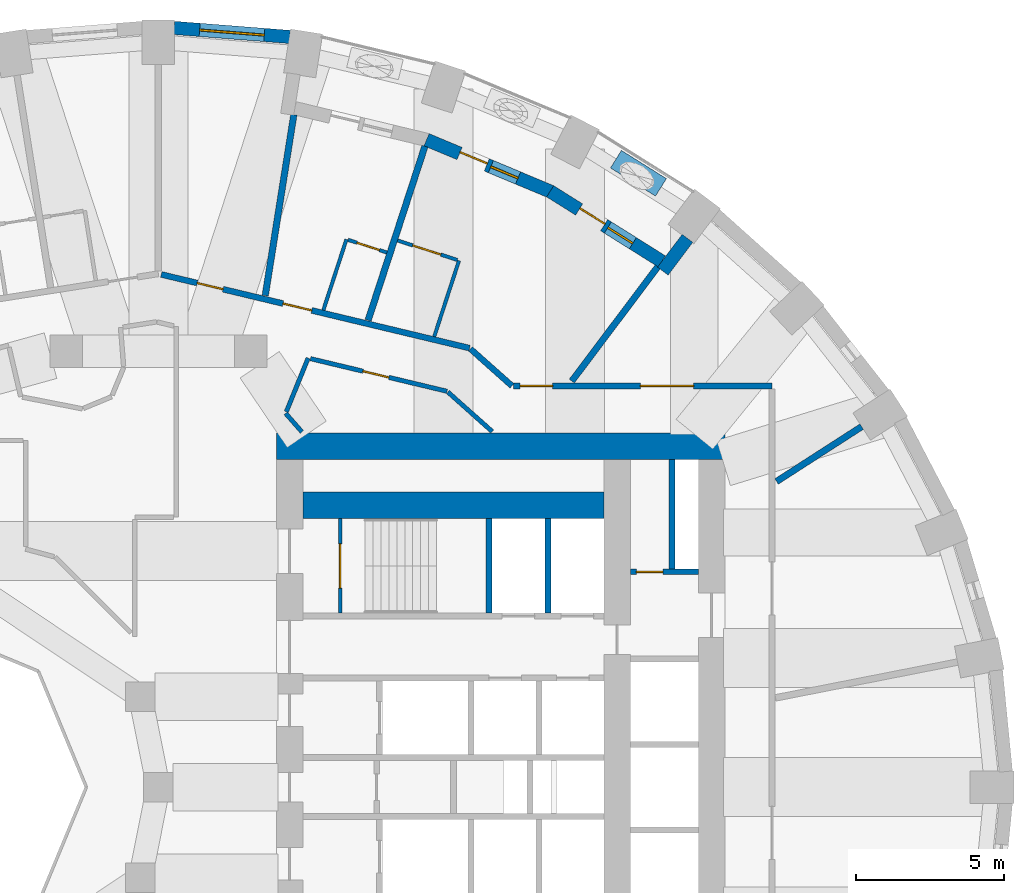
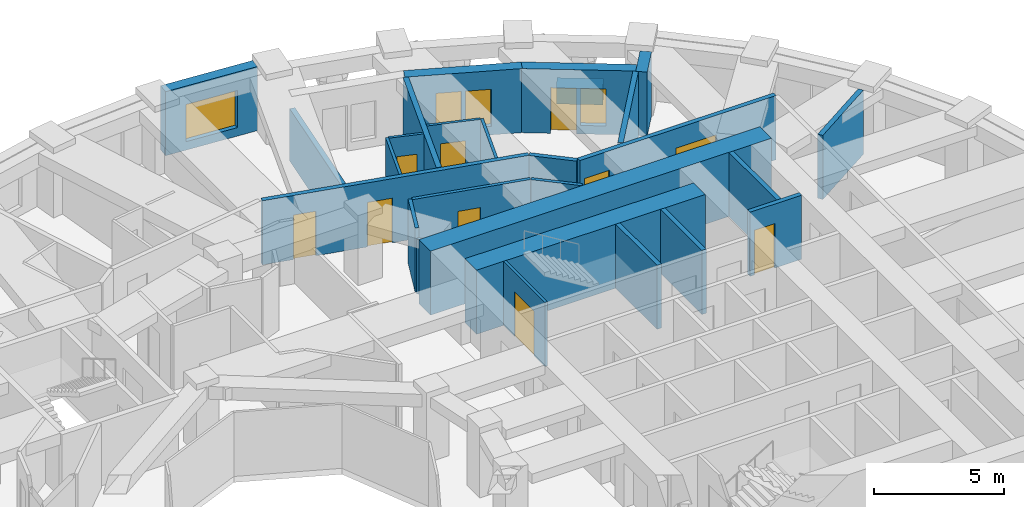
# One storey, part 9 of 14: 27 walls, 11 doors, 3 windows, 14 openings.
"""IFC4 building model written with IfcOpenShell, lengths in metres."""

from ifc_helpers import new_model, si_unit, direction, frame, frame_2d, origin, place, context, subcontext, project, spatial, rectangle, extrude, material, layer, layer_set, constituent, constituent_set, type_object, element, fill, save


model = new_model("IFC4")

# Units and contexts
model_context = context("Model", 3, precision=1e-05, world=origin(), true_north=direction((0.0, 1.0)))
body_context = subcontext(model_context, "Body", "Model", "MODEL_VIEW")
ifc_project = project(units=[si_unit("LENGTHUNIT", "METRE"), si_unit("AREAUNIT", "SQUARE_METRE"), si_unit("VOLUMEUNIT", "CUBIC_METRE"), si_unit("PLANEANGLEUNIT", "RADIAN"), si_unit("MASSUNIT", "GRAM", prefix="KILO")], contexts=[model_context])

# Site, building, storey
site_placement = place(None, origin())
site = spatial("IfcSite", under=ifc_project, at=site_placement, CompositionType="ELEMENT")
building_placement = place(site_placement, origin())
building = spatial("IfcBuilding", under=site, at=building_placement, Name="Taillehof Tower", CompositionType="ELEMENT")
storey_placement = place(building_placement, frame((0.0, 0.0, 28.300048828125)))
storey = spatial("IfcBuildingStorey", under=building, at=storey_placement, Name="L06", CompositionType="ELEMENT", Elevation=28.300048828125)

# Wall, opening, window
ifc_material_1 = material(Name="Brick masonry", Category="masonry")
ifc_layer_1 = layer(ifc_material_1, 0.449951171875)
ifc_layer_set_1 = layer_set([ifc_layer_1], Name="Brick infill wall 450")
wall_type_1 = type_object("IfcWallType", Name="Brick infill wall 450", PredefinedType="SOLIDWALL", material=ifc_layer_set_1)
wall_1_placement = place(storey_placement, frame((4.457275390625, 25.42578125, 0.0), z_axis=(0.0, 0.0, 1.0), x_axis=(-0.996955972145, 0.077966592873, 0.0)))
wall_1 = element("IfcWall", 1, at=wall_1_placement, inside=storey, type_object=wall_type_1, Name="Brick wall L06 bay 9", PredefinedType="SOLIDWALL", context=body_context, shape_type="SweptSolid", body=[
    extrude(rectangle(XDim=3.939208984375, YDim=0.449951171875, at=frame_2d((1.9697265625, 0.0))), origin(), (0.0, 0.0, 1.0), 3.02001953125),
])
opening_1_placement = place(wall_1_placement, frame((0.86962890625, 0.0, 0.39990234375)))
opening_1 = element("IfcOpeningElement", 2, at=opening_1_placement, cuts=wall_1, Name="Opening W1", PredefinedType="OPENING", context=body_context, shape_type="SweptSolid", body=[
    extrude(rectangle(XDim=2.199951171875, YDim=1.75, at=frame_2d((1.10009765625, 0.875))), frame((0.0, 0.23486328125, 0.0), z_axis=(0.0, -1.0, 0.0), x_axis=(1.0, 0.0, 0.0)), (0.0, 0.0, 1.0), 0.469970703125),
])
ifc_material_2 = material(Name="Aluminium window frame with clear double glazing", Category="aluminium")
window_type_1 = type_object("IfcWindowType", Name="Deep-set window 2200x1750", PartitioningType="SINGLE_PANEL", PredefinedType="WINDOW", material=ifc_material_2)
window_1_placement = place(opening_1_placement, origin())
window_1 = element("IfcWindow", 3, at=window_1_placement, inside=storey, type_object=window_type_1, Name="W1", OverallHeight=1.75, OverallWidth=2.199951171875, PartitioningType="SINGLE_PANEL", PredefinedType="WINDOW", context=body_context, shape_type="SweptSolid", body=[
    extrude(rectangle(XDim=2.199951171875, YDim=1.75, at=frame_2d((1.10009765625, 0.875))), frame((0.0, 0.034912109375, 0.0), z_axis=(0.0, -1.0, 0.0), x_axis=(1.0, 0.0, 0.0)), (0.0, 0.0, 1.0), 0.06005859375),
])
fill(opening_1, window_1)

# Wall
wall_2_placement = place(storey_placement, frame((17.931640625, 18.60009765625, 0.0), z_axis=(0.0, 0.0, 1.0), x_axis=(-0.601262851241, -0.799051302306, 0.0)))
element("IfcWall", 4, at=wall_2_placement, inside=storey, type_object=wall_type_1, Name="Brick reveal L06 pocket 1", PredefinedType="SOLIDWALL", context=body_context, shape_type="SweptSolid", body=[
    extrude(rectangle(XDim=1.39111328125, YDim=0.449951171875, at=frame_2d((0.695556640625, 0.0))), origin(), (0.0, 0.0, 1.0), 3.02001953125),
])

# Wall, openings, door, window
wall_3_placement = place(storey_placement, frame((17.062255859375, 17.81884765625, 0.0), z_axis=(0.0, 0.0, 1.0), x_axis=(-0.846990101364, 0.531608660757, 0.0)))
wall_3 = element("IfcWall", 5, at=wall_3_placement, inside=storey, type_object=wall_type_1, Name="Brick wall L06 pocket bay 6", PredefinedType="SOLIDWALL", context=body_context, shape_type="SweptSolid", body=[
    extrude(rectangle(XDim=4.468994140625, YDim=0.449951171875, at=frame_2d((2.234375, 0.0))), origin(), (0.0, 0.0, 1.0), 3.02001953125),
])
opening_2_placement = place(wall_3_placement, frame((1.159423828125, 0.0, 0.39990234375)))
opening_2 = element("IfcOpeningElement", 6, at=opening_2_placement, cuts=wall_3, Name="Opening W5", PredefinedType="OPENING", context=body_context, shape_type="SweptSolid", body=[
    extrude(rectangle(XDim=1.0, YDim=1.75, at=frame_2d((0.5, 0.875))), frame((0.0, 0.23486328125, 0.0), z_axis=(0.0, -1.0, 0.0), x_axis=(1.0, 0.0, 0.0)), (0.0, 0.0, 1.0), 0.469970703125),
])
opening_3_placement = place(wall_3_placement, frame((2.3095703125, 0.0, 0.0)))
opening_3 = element("IfcOpeningElement", 7, at=opening_3_placement, cuts=wall_3, Name="Opening D0691", PredefinedType="OPENING", context=body_context, shape_type="SweptSolid", body=[
    extrude(rectangle(XDim=1.0, YDim=2.14990234375, at=frame_2d((0.5, 1.074951171875))), frame((0.0, 0.23486328125, 0.0), z_axis=(0.0, -1.0, 0.0), x_axis=(1.0, 0.0, 0.0)), (0.0, 0.0, 1.0), 0.469970703125),
])
ifc_material_3 = material(Name="Aluminium door frame with clear double glazing", Category="aluminium")
door_type_1 = type_object("IfcDoorType", Name="Balcony door 1000x2150", OperationType="SINGLE_SWING_RIGHT", PredefinedType="DOOR", material=ifc_material_3)
door_1_placement = place(opening_3_placement, frame((1.0, 0.0, 0.0), z_axis=(0.0, 0.0, 1.0), x_axis=(-1.0, 0.0, 0.0)))
door_1 = element("IfcDoor", 8, at=door_1_placement, inside=storey, type_object=door_type_1, Name="Balcony door L06 bay 6", OperationType="SINGLE_SWING_RIGHT", OverallHeight=2.14990234375, OverallWidth=1.0, PredefinedType="DOOR", context=body_context, shape_type="SweptSolid", body=[
    extrude(rectangle(XDim=1.0, YDim=2.14990234375, at=frame_2d((0.5, 1.074951171875))), frame((0.0, 0.0751953125, 0.0), z_axis=(0.0, -1.0, 0.0), x_axis=(1.0, 0.0, 0.0)), (0.0, 0.0, 1.0), 0.050048828125),
])
fill(opening_3, door_1)
ifc_material_4 = material(Name="Aluminium window frame with clear double glazing", Category="aluminium")
window_type_2 = type_object("IfcWindowType", Name="Fixed window 1000x1750", PartitioningType="SINGLE_PANEL", PredefinedType="WINDOW", material=ifc_material_4)
window_2_placement = place(opening_2_placement, origin())
window_2 = element("IfcWindow", 9, at=window_2_placement, inside=storey, type_object=window_type_2, Name="W5", OverallHeight=1.75, OverallWidth=1.0, PartitioningType="SINGLE_PANEL", PredefinedType="WINDOW", context=body_context, shape_type="SweptSolid", body=[
    extrude(rectangle(XDim=1.0, YDim=1.75, at=frame_2d((0.5, 0.875))), frame((0.0, 0.034912109375, 0.0), z_axis=(0.0, -1.0, 0.0), x_axis=(1.0, 0.0, 0.0)), (0.0, 0.0, 1.0), 0.06005859375),
])
fill(opening_2, window_2)

wall_4_placement = place(storey_placement, frame((13.31005859375, 20.177734375, 0.0), z_axis=(0.0, 0.0, 1.0), x_axis=(-0.922634412489, 0.385675693935, 0.0)))
wall_4 = element("IfcWall", 10, at=wall_4_placement, inside=storey, type_object=wall_type_1, Name="Brick wall L06 pocket bay 7", PredefinedType="SOLIDWALL", context=body_context, shape_type="SweptSolid", body=[
    extrude(rectangle(XDim=4.57666015625, YDim=0.449951171875, at=frame_2d((2.288330078125, 0.0))), origin(), (0.0, 0.0, 1.0), 3.02001953125),
])
opening_4_placement = place(wall_4_placement, frame((1.21337890625, 0.0, 0.39990234375)))
opening_4 = element("IfcOpeningElement", 11, at=opening_4_placement, cuts=wall_4, Name="Opening W5", PredefinedType="OPENING", context=body_context, shape_type="SweptSolid", body=[
    extrude(rectangle(XDim=1.0, YDim=1.75, at=frame_2d((0.5, 0.875))), frame((0.0, 0.23486328125, 0.0), z_axis=(0.0, -1.0, 0.0), x_axis=(1.0, 0.0, 0.0)), (0.0, 0.0, 1.0), 0.469970703125),
])
opening_5_placement = place(wall_4_placement, frame((2.36328125, 0.0, 0.0)))
opening_5 = element("IfcOpeningElement", 12, at=opening_5_placement, cuts=wall_4, Name="Opening D0692", PredefinedType="OPENING", context=body_context, shape_type="SweptSolid", body=[
    extrude(rectangle(XDim=1.0, YDim=2.14990234375, at=frame_2d((0.5, 1.074951171875))), frame((0.0, 0.23486328125, 0.0), z_axis=(0.0, -1.0, 0.0), x_axis=(1.0, 0.0, 0.0)), (0.0, 0.0, 1.0), 0.469970703125),
])
door_2_placement = place(opening_5_placement, frame((1.0, 0.0, 0.0), z_axis=(0.0, 0.0, 1.0), x_axis=(-1.0, 0.0, 0.0)))
door_2 = element("IfcDoor", 13, at=door_2_placement, inside=storey, type_object=door_type_1, Name="Balcony door L06 bay 7", OperationType="SINGLE_SWING_LEFT", OverallHeight=2.14990234375, OverallWidth=1.0, PredefinedType="DOOR", context=body_context, shape_type="SweptSolid", body=[
    extrude(rectangle(XDim=1.0, YDim=2.14990234375, at=frame_2d((0.5, 1.074951171875))), frame((0.0, 0.0751953125, 0.0), z_axis=(0.0, -1.0, 0.0), x_axis=(1.0, 0.0, 0.0)), (0.0, 0.0, 1.0), 0.050048828125),
])
fill(opening_5, door_2)
window_3_placement = place(opening_4_placement, origin())
window_3 = element("IfcWindow", 14, at=window_3_placement, inside=storey, type_object=window_type_2, Name="W5", OverallHeight=1.75, OverallWidth=1.0, PartitioningType="SINGLE_PANEL", PredefinedType="WINDOW", context=body_context, shape_type="SweptSolid", body=[
    extrude(rectangle(XDim=1.0, YDim=1.75, at=frame_2d((0.5, 0.875))), frame((0.0, 0.034912109375, 0.0), z_axis=(0.0, -1.0, 0.0), x_axis=(1.0, 0.0, 0.0)), (0.0, 0.0, 1.0), 0.06005859375),
])
fill(opening_4, window_3)

# Wall, opening, door
ifc_material_5 = material(Name="Calcium silicate masonry", Category="masonry")
ifc_layer_2 = layer(ifc_material_5, 0.199951171875)
ifc_layer_set_2 = layer_set([ifc_layer_2], Name="Compartment wall calcium silicate 200")
wall_type_2 = type_object("IfcWallType", Name="Compartment wall calcium silicate 200", PredefinedType="PARTITIONING", material=ifc_layer_set_2)
wall_5_placement = place(storey_placement, frame((16.0, 7.300048828125, 0.0), z_axis=(0.0, 0.0, 1.0), x_axis=(1.0, 0.0, 0.0)))
wall_5 = element("IfcWall", 15, at=wall_5_placement, inside=storey, type_object=wall_type_2, Name="Compartment wall FW", PredefinedType="PARTITIONING", context=body_context, shape_type="SweptSolid", body=[
    extrude(rectangle(XDim=2.300048828125, YDim=0.199951171875, at=frame_2d((1.14990234375, 0.0))), origin(), (0.0, 0.0, 1.0), 3.02001953125),
])
opening_6_placement = place(wall_5_placement, frame((0.199951171875, 0.0, 0.0)))
opening_6 = element("IfcOpeningElement", 16, at=opening_6_placement, cuts=wall_5, Name="Opening D0616", PredefinedType="OPENING", context=body_context, shape_type="SweptSolid", body=[
    extrude(rectangle(XDim=0.89990234375, YDim=2.10009765625, at=frame_2d((0.449951171875, 1.050048828125))), frame((0.0, 0.10986328125, 0.0), z_axis=(0.0, -1.0, 0.0), x_axis=(1.0, 0.0, 0.0)), (0.0, 0.0, 1.0), 0.219970703125),
])
ifc_material_6 = material(Name="Steel-faced fire door", Category="steel")
door_type_2 = type_object("IfcDoorType", Name="Riser and service room door 900x2100", OperationType="SINGLE_SWING_LEFT", PredefinedType="DOOR", material=ifc_material_6)
door_3_placement = place(opening_6_placement, origin())
door_3 = element("IfcDoor", 17, at=door_3_placement, inside=storey, type_object=door_type_2, Name="Door Waste Room", OperationType="SINGLE_SWING_RIGHT", OverallHeight=2.10009765625, OverallWidth=0.89990234375, PredefinedType="DOOR", context=body_context, shape_type="SweptSolid", body=[
    extrude(rectangle(XDim=0.89990234375, YDim=2.10009765625, at=frame_2d((0.449951171875, 1.050048828125))), frame((0.0, 0.02490234375, 0.0), z_axis=(0.0, -1.0, 0.0), x_axis=(1.0, 0.0, 0.0)), (0.0, 0.0, 1.0), 0.050048828125),
])
fill(opening_6, door_3)

# Wall
wall_6_placement = place(storey_placement, frame((17.39990234375, 7.39990234375, 0.0), z_axis=(0.0, 0.0, 1.0), x_axis=(0.0, 1.0, 0.0)))
element("IfcWall", 18, at=wall_6_placement, inside=storey, type_object=wall_type_2, Name="Compartment wall FW", PredefinedType="PARTITIONING", context=body_context, shape_type="SweptSolid", body=[
    extrude(rectangle(XDim=3.7001953125, YDim=0.199951171875, at=frame_2d((1.85009765625, 0.0))), origin(), (0.0, 0.0, 1.0), 3.02001953125),
])

# Wall, openings, doors
ifc_material_7 = material(Name="Gypsum board on steel studs, two layers each side", Category="steel")
ifc_layer_3 = layer(ifc_material_7, 0.199951171875)
ifc_layer_set_3 = layer_set([ifc_layer_3], Name="Compartment wall corridor 200")
wall_type_3 = type_object("IfcWallType", Name="Compartment wall corridor 200", PredefinedType="PARTITIONING", material=ifc_layer_set_3)
wall_7_placement = place(storey_placement, frame((0.09765625, 17.376708984375, 0.0), z_axis=(0.0, 0.0, 1.0), x_axis=(0.972602241469, -0.232475546864, 0.0)))
wall_7 = element("IfcWall", 19, at=wall_7_placement, inside=storey, type_object=wall_type_3, Name="Compartment wall", PredefinedType="PARTITIONING", context=body_context, shape_type="SweptSolid", body=[
    extrude(rectangle(XDim=10.743408203125, YDim=0.199951171875, at=frame_2d((5.37158203125, 0.0))), origin(), (0.0, 0.0, 1.0), 3.02001953125),
])
opening_7_placement = place(wall_7_placement, frame((4.241943359375, 0.0, 0.0)))
opening_7 = element("IfcOpeningElement", 20, at=opening_7_placement, cuts=wall_7, Name="Opening D0642", PredefinedType="OPENING", context=body_context, shape_type="SweptSolid", body=[
    extrude(rectangle(XDim=1.0, YDim=2.10009765625, at=frame_2d((0.5, 1.050048828125))), frame((0.0, 0.10986328125, 0.0), z_axis=(0.0, -1.0, 0.0), x_axis=(1.0, 0.0, 0.0)), (0.0, 0.0, 1.0), 0.219970703125),
])
opening_8_placement = place(wall_7_placement, frame((1.25341796875, 0.0, 0.0)))
opening_8 = element("IfcOpeningElement", 21, at=opening_8_placement, cuts=wall_7, Name="Opening D0644", PredefinedType="OPENING", context=body_context, shape_type="SweptSolid", body=[
    extrude(rectangle(XDim=0.89990234375, YDim=2.10009765625, at=frame_2d((0.449951171875, 1.050048828125))), frame((0.0, 0.10986328125, 0.0), z_axis=(0.0, -1.0, 0.0), x_axis=(1.0, 0.0, 0.0)), (0.0, 0.0, 1.0), 0.219970703125),
])
ifc_material_8 = material(Name="Timber door leaf in steel frame", Category="steel")
door_type_3 = type_object("IfcDoorType", Name="Guest room door EI 30 1000 x 2100", OperationType="SINGLE_SWING_LEFT", PredefinedType="DOOR", material=ifc_material_8)
door_4_placement = place(opening_7_placement, origin())
door_4 = element("IfcDoor", 22, at=door_4_placement, inside=storey, type_object=door_type_3, Name="D0642", OperationType="SINGLE_SWING_RIGHT", OverallHeight=2.10009765625, OverallWidth=1.0, PredefinedType="DOOR", context=body_context, shape_type="SweptSolid", body=[
    extrude(rectangle(XDim=1.0, YDim=2.10009765625, at=frame_2d((0.5, 1.050048828125))), frame((0.0, 0.02490234375, 0.0), z_axis=(0.0, -1.0, 0.0), x_axis=(1.0, 0.0, 0.0)), (0.0, 0.0, 1.0), 0.050048828125),
])
fill(opening_7, door_4)
ifc_material_9 = material(Name="Timber door leaf in steel frame", Category="steel")
door_type_4 = type_object("IfcDoorType", Name="Service room door EI 30 900 x 2100", OperationType="SINGLE_SWING_LEFT", PredefinedType="DOOR", material=ifc_material_9)
door_5_placement = place(opening_8_placement, origin())
door_5 = element("IfcDoor", 23, at=door_5_placement, inside=storey, type_object=door_type_4, Name="D0644", OperationType="SINGLE_SWING_LEFT", OverallHeight=2.10009765625, OverallWidth=0.89990234375, PredefinedType="DOOR", context=body_context, shape_type="SweptSolid", body=[
    extrude(rectangle(XDim=0.89990234375, YDim=2.10009765625, at=frame_2d((0.449951171875, 1.050048828125))), frame((0.0, 0.02490234375, 0.0), z_axis=(0.0, -1.0, 0.0), x_axis=(1.0, 0.0, 0.0)), (0.0, 0.0, 1.0), 0.050048828125),
])
fill(opening_8, door_5)

# Wall
wall_8_placement = place(storey_placement, frame((10.576416015625, 14.852783203125, 0.0), z_axis=(0.0, 0.0, 1.0), x_axis=(0.746758163178, -0.665095666597, 0.0)))
element("IfcWall", 24, at=wall_8_placement, inside=storey, type_object=wall_type_3, Name="Compartment wall", PredefinedType="PARTITIONING", context=body_context, shape_type="SweptSolid", body=[
    extrude(rectangle(XDim=1.883544921875, YDim=0.199951171875, at=frame_2d((0.94189453125, 0.0))), origin(), (0.0, 0.0, 1.0), 3.02001953125),
])

# Wall, openings, doors
wall_9_placement = place(storey_placement, frame((12.04296875, 13.60009765625, 0.0), z_axis=(0.0, 0.0, 1.0), x_axis=(1.0, 0.0, 0.0)))
wall_9 = element("IfcWall", 25, at=wall_9_placement, inside=storey, type_object=wall_type_3, Name="Compartment wall", PredefinedType="PARTITIONING", context=body_context, shape_type="SweptSolid", body=[
    extrude(rectangle(XDim=8.757080078125, YDim=0.199951171875, at=frame_2d((4.37841796875, 0.0))), origin(), (0.0, 0.0, 1.0), 3.02001953125),
])
opening_9_placement = place(wall_9_placement, frame((0.219970703125, 0.0, 0.0)))
opening_9 = element("IfcOpeningElement", 26, at=opening_9_placement, cuts=wall_9, Name="Opening D0640", PredefinedType="OPENING", context=body_context, shape_type="SweptSolid", body=[
    extrude(rectangle(XDim=1.10009765625, YDim=2.10009765625, at=frame_2d((0.550048828125, 1.050048828125))), frame((0.0, 0.10986328125, 0.0), z_axis=(0.0, -1.0, 0.0), x_axis=(1.0, 0.0, 0.0)), (0.0, 0.0, 1.0), 0.219970703125),
])
opening_10_placement = place(wall_9_placement, frame((4.293212890625, 0.0, 0.0)))
opening_10 = element("IfcOpeningElement", 27, at=opening_10_placement, cuts=wall_9, Name="Opening D0672", PredefinedType="OPENING", context=body_context, shape_type="SweptSolid", body=[
    extrude(rectangle(XDim=1.800048828125, YDim=2.10009765625, at=frame_2d((0.89990234375, 1.050048828125))), frame((0.0, 0.10986328125, 0.0), z_axis=(0.0, -1.0, 0.0), x_axis=(1.0, 0.0, 0.0)), (0.0, 0.0, 1.0), 0.219970703125),
])
ifc_material_10 = material(Name="Timber door leaf in steel frame", Category="steel")
door_type_5 = type_object("IfcDoorType", Name="Accessible guest room door EI 30 1100 x 2100", OperationType="SINGLE_SWING_LEFT", PredefinedType="DOOR", material=ifc_material_10)
door_6_placement = place(opening_9_placement, origin())
door_6 = element("IfcDoor", 28, at=door_6_placement, inside=storey, type_object=door_type_5, Name="D0640", OperationType="SINGLE_SWING_LEFT", OverallHeight=2.10009765625, OverallWidth=1.10009765625, PredefinedType="DOOR", context=body_context, shape_type="SweptSolid", body=[
    extrude(rectangle(XDim=1.10009765625, YDim=2.10009765625, at=frame_2d((0.550048828125, 1.050048828125))), frame((0.0, 0.02490234375, 0.0), z_axis=(0.0, -1.0, 0.0), x_axis=(1.0, 0.0, 0.0)), (0.0, 0.0, 1.0), 0.050048828125),
])
fill(opening_9, door_6)
ifc_material_11 = material(Name="Timber door leaf in steel frame", Category="steel")
door_type_6 = type_object("IfcDoorType", Name="Lounge and meeting room double door EI 30 1800 x 2100", OperationType="SINGLE_SWING_LEFT", PredefinedType="DOOR", material=ifc_material_11)
door_7_placement = place(opening_10_placement, origin())
door_7 = element("IfcDoor", 29, at=door_7_placement, inside=storey, type_object=door_type_6, Name="D0672", OperationType="DOUBLE_DOOR_SINGLE_SWING", OverallHeight=2.10009765625, OverallWidth=1.800048828125, PredefinedType="DOOR", context=body_context, shape_type="SweptSolid", body=[
    extrude(rectangle(XDim=1.800048828125, YDim=2.10009765625, at=frame_2d((0.89990234375, 1.050048828125))), frame((0.0, 0.02490234375, 0.0), z_axis=(0.0, -1.0, 0.0), x_axis=(1.0, 0.0, 0.0)), (0.0, 0.0, 1.0), 0.050048828125),
])
fill(opening_10, door_7)

# Walls
ifc_material_12 = material(Name="Gypsum board on double steel studs with mineral wool", Category="steel")
ifc_layer_4 = layer(ifc_material_12, 0.219970703125)
ifc_layer_set_4 = layer_set([ifc_layer_4], Name="Compartment wall guest room 220")
wall_type_4 = type_object("IfcWallType", Name="Compartment wall guest room 220", PredefinedType="PARTITIONING", material=ifc_layer_set_4)
wall_10_placement = place(storey_placement, frame((23.834716796875, 12.218994140625, 0.0), z_axis=(0.0, 0.0, 1.0), x_axis=(-0.840694872373, -0.541509124176, 0.0)))
element("IfcWall", 30, at=wall_10_placement, inside=storey, type_object=wall_type_4, Name="Compartment wall", PredefinedType="PARTITIONING", context=body_context, shape_type="SweptSolid", body=[
    extrude(rectangle(XDim=3.430419921875, YDim=0.219970703125, at=frame_2d((1.71533203125, 0.0))), origin(), (0.0, 0.0, 1.0), 3.02001953125),
])
wall_11_placement = place(storey_placement, frame((16.926513671875, 17.638427734375, 0.0), z_axis=(0.0, 0.0, 1.0), x_axis=(-0.601183583641, -0.799110942711, 0.0)))
element("IfcWall", 31, at=wall_11_placement, inside=storey, type_object=wall_type_4, Name="Compartment wall", PredefinedType="PARTITIONING", context=body_context, shape_type="SweptSolid", body=[
    extrude(rectangle(XDim=4.848876953125, YDim=0.219970703125, at=frame_2d((2.42431640625, 0.0))), origin(), (0.0, 0.0, 1.0), 3.02001953125),
])
wall_12_placement = place(storey_placement, frame((9.033935546875, 21.72119140625, 0.0), z_axis=(0.0, 0.0, 1.0), x_axis=(-0.310247180826, -0.950655924501, 0.0)))
element("IfcWall", 32, at=wall_12_placement, inside=storey, type_object=wall_type_4, Name="Compartment wall", PredefinedType="PARTITIONING", context=body_context, shape_type="SweptSolid", body=[
    extrude(rectangle(XDim=6.203369140625, YDim=0.219970703125, at=frame_2d((3.1015625, 0.0))), origin(), (0.0, 0.0, 1.0), 3.02001953125),
])
wall_13_placement = place(storey_placement, frame((4.590576171875, 22.78857421875, 0.0), z_axis=(0.0, 0.0, 1.0), x_axis=(-0.15615243256, -0.987732968877, 0.0)))
element("IfcWall", 33, at=wall_13_placement, inside=storey, type_object=wall_type_4, Name="Compartment wall", PredefinedType="PARTITIONING", context=body_context, shape_type="SweptSolid", body=[
    extrude(rectangle(XDim=6.20703125, YDim=0.219970703125, at=frame_2d((3.103515625, 0.0))), origin(), (0.0, 0.0, 1.0), 2.469970703125),
])
ifc_material_13 = material(Name="Gypsum board on steel studs, two layers each side", Category="steel")
ifc_layer_5 = layer(ifc_material_13, 0.14990234375)
ifc_layer_set_5 = layer_set([ifc_layer_5], Name="Compartment wall service room 150")
wall_type_5 = type_object("IfcWallType", Name="Compartment wall service room 150", PredefinedType="PARTITIONING", material=ifc_layer_set_5)
wall_14_placement = place(storey_placement, frame((4.864501953125, 12.04150390625, 0.0), z_axis=(0.0, 0.0, 1.0), x_axis=(-0.660014599896, 0.751252772323, 0.0)))
element("IfcWall", 34, at=wall_14_placement, inside=storey, type_object=wall_type_5, Name="Compartment wall", PredefinedType="PARTITIONING", context=body_context, shape_type="SweptSolid", body=[
    extrude(rectangle(XDim=0.8349609375, YDim=0.14990234375, at=frame_2d((0.41748046875, 0.0))), origin(), (0.0, 0.0, 1.0), 2.570068359375),
])
wall_15_placement = place(storey_placement, frame((4.336181640625, 12.724365234375, 0.0), z_axis=(0.0, 0.0, 1.0), x_axis=(0.376897652409, 0.926254910707, 0.0)))
element("IfcWall", 35, at=wall_15_placement, inside=storey, type_object=wall_type_5, Name="Compartment wall", PredefinedType="PARTITIONING", context=body_context, shape_type="SweptSolid", body=[
    extrude(rectangle(XDim=1.962158203125, YDim=0.14990234375, at=frame_2d((0.98095703125, 0.0))), origin(), (0.0, 0.0, 1.0), 3.02001953125),
])

# Wall, opening, door
wall_16_placement = place(storey_placement, frame((5.15380859375, 14.523193359375, 0.0), z_axis=(0.0, 0.0, 1.0), x_axis=(0.972595031209, -0.232505710182, 0.0)))
wall_16 = element("IfcWall", 36, at=wall_16_placement, inside=storey, type_object=wall_type_5, Name="Compartment wall", PredefinedType="PARTITIONING", context=body_context, shape_type="SweptSolid", body=[
    extrude(rectangle(XDim=4.759765625, YDim=0.14990234375, at=frame_2d((2.3798828125, 0.0))), origin(), (0.0, 0.0, 1.0), 3.02001953125),
])
opening_11_placement = place(wall_16_placement, frame((1.829345703125, 0.0, 0.0)))
opening_11 = element("IfcOpeningElement", 37, at=opening_11_placement, cuts=wall_16, Name="Opening D0674", PredefinedType="OPENING", context=body_context, shape_type="SweptSolid", body=[
    extrude(rectangle(XDim=0.89990234375, YDim=2.10009765625, at=frame_2d((0.449951171875, 1.050048828125))), frame((0.0, 0.0849609375, 0.0), z_axis=(0.0, -1.0, 0.0), x_axis=(1.0, 0.0, 0.0)), (0.0, 0.0, 1.0), 0.169921875),
])
door_8_placement = place(opening_11_placement, origin())
door_8 = element("IfcDoor", 38, at=door_8_placement, inside=storey, type_object=door_type_4, Name="D0674", OperationType="SINGLE_SWING_RIGHT", OverallHeight=2.10009765625, OverallWidth=0.89990234375, PredefinedType="DOOR", context=body_context, shape_type="SweptSolid", body=[
    extrude(rectangle(XDim=0.89990234375, YDim=2.10009765625, at=frame_2d((0.449951171875, 1.050048828125))), frame((0.0, 0.02490234375, 0.0), z_axis=(0.0, -1.0, 0.0), x_axis=(1.0, 0.0, 0.0)), (0.0, 0.0, 1.0), 0.050048828125),
])
fill(opening_11, door_8)

# Walls
wall_17_placement = place(storey_placement, frame((9.81298828125, 13.39013671875, 0.0), z_axis=(0.0, 0.0, 1.0), x_axis=(0.746772740714, -0.665079298825, 0.0)))
element("IfcWall", 39, at=wall_17_placement, inside=storey, type_object=wall_type_5, Name="Compartment wall", PredefinedType="PARTITIONING", context=body_context, shape_type="SweptSolid", body=[
    extrude(rectangle(XDim=2.01123046875, YDim=0.14990234375, at=frame_2d((1.005615234375, 0.0))), origin(), (0.0, 0.0, 1.0), 3.02001953125),
])
ifc_material_14 = material(Name="Concrete C80/95", Category="concrete")
ifc_layer_6 = layer(ifc_material_14, 0.89990234375)
ifc_layer_set_6 = layer_set([ifc_layer_6], Name="Core wall C80/95 900")
wall_type_6 = type_object("IfcWallType", Name="Core wall C80/95 900", PredefinedType="SHEAR", material=ifc_layer_set_6)
wall_18_placement = place(storey_placement, frame((4.0, 11.550048828125, 0.0), z_axis=(0.0, 0.0, 1.0), x_axis=(1.0, 0.0, 0.0)))
element("IfcWall", 40, at=wall_18_placement, inside=storey, type_object=wall_type_6, Name="Core wall CW03", PredefinedType="SHEAR", context=body_context, shape_type="SweptSolid", body=[
    extrude(rectangle(XDim=15.199951171875, YDim=0.89990234375, at=frame_2d((7.60009765625, 0.0))), origin(), (0.0, 0.0, 1.0), 3.02001953125),
])
wall_19_placement = place(storey_placement, frame((4.89990234375, 9.550048828125, 0.0), z_axis=(0.0, 0.0, 1.0), x_axis=(1.0, 0.0, 0.0)))
element("IfcWall", 41, at=wall_19_placement, inside=storey, type_object=wall_type_6, Name="Core wall CW06", PredefinedType="SHEAR", context=body_context, shape_type="SweptSolid", body=[
    extrude(rectangle(XDim=10.2001953125, YDim=0.89990234375, at=frame_2d((5.10009765625, 0.0))), origin(), (0.0, 0.0, 1.0), 3.02001953125),
])
ifc_material_15 = material(Name="Gypsum board on steel studs, moisture resistant", Category="steel")
ifc_layer_7 = layer(ifc_material_15, 0.1201171875)
ifc_layer_set_7 = layer_set([ifc_layer_7], Name="En-suite wall 120")
wall_type_7 = type_object("IfcWallType", Name="En-suite wall 120", PredefinedType="PARTITIONING", material=ifc_layer_set_7)
wall_20_placement = place(storey_placement, frame((9.347900390625, 15.2685546875, 0.0), z_axis=(0.0, 0.0, 1.0), x_axis=(0.310147893553, 0.950688321231, 0.0)))
element("IfcWall", 42, at=wall_20_placement, inside=storey, type_object=wall_type_7, Name="En-suite wall", PredefinedType="PARTITIONING", context=body_context, shape_type="SweptSolid", body=[
    extrude(rectangle(XDim=2.71337890625, YDim=0.1201171875, at=frame_2d((1.356689453125, 0.0))), origin(), (0.0, 0.0, 1.0), 3.02001953125),
])
wall_21_placement = place(storey_placement, frame((5.5908203125, 16.16650390625, 0.0), z_axis=(0.0, 0.0, 1.0), x_axis=(0.310246659943, 0.950656094492, 0.0)))
element("IfcWall", 43, at=wall_21_placement, inside=storey, type_object=wall_type_7, Name="En-suite wall", PredefinedType="PARTITIONING", context=body_context, shape_type="SweptSolid", body=[
    extrude(rectangle(XDim=2.525146484375, YDim=0.1201171875, at=frame_2d((1.2626953125, 0.0))), origin(), (0.0, 0.0, 1.0), 3.02001953125),
])

# Wall, opening, door
wall_22_placement = place(storey_placement, frame((10.13232421875, 17.86669921875, 0.0), z_axis=(0.0, 0.0, 1.0), x_axis=(-0.950681354321, 0.310169248227, 0.0)))
wall_22 = element("IfcWall", 44, at=wall_22_placement, inside=storey, type_object=wall_type_7, Name="En-suite wall", PredefinedType="PARTITIONING", context=body_context, shape_type="SweptSolid", body=[
    extrude(rectangle(XDim=2.1298828125, YDim=0.1201171875, at=frame_2d((1.06494140625, 0.0))), origin(), (0.0, 0.0, 1.0), 3.02001953125),
])
opening_12_placement = place(wall_22_placement, frame((0.58984375, 0.0, 0.0)))
opening_12 = element("IfcOpeningElement", 45, at=opening_12_placement, cuts=wall_22, Name="Opening D0641", PredefinedType="OPENING", context=body_context, shape_type="SweptSolid", body=[
    extrude(rectangle(XDim=1.0, YDim=2.10009765625, at=frame_2d((0.5, 1.050048828125))), frame((0.0, 0.070068359375, 0.0), z_axis=(0.0, -1.0, 0.0), x_axis=(1.0, 0.0, 0.0)), (0.0, 0.0, 1.0), 0.14013671875),
])
ifc_material_16 = material(Name="Timber door leaf in steel frame", Category="steel")
door_type_7 = type_object("IfcDoorType", Name="Accessible en-suite door 1000 x 2100", OperationType="SINGLE_SWING_LEFT", PredefinedType="DOOR", material=ifc_material_16)
door_9_placement = place(opening_12_placement, origin())
door_9 = element("IfcDoor", 46, at=door_9_placement, inside=storey, type_object=door_type_7, Name="D0641", OperationType="SINGLE_SWING_LEFT", OverallHeight=2.10009765625, OverallWidth=1.0, PredefinedType="DOOR", context=body_context, shape_type="SweptSolid", body=[
    extrude(rectangle(XDim=1.0, YDim=2.10009765625, at=frame_2d((0.5, 1.050048828125))), frame((0.0, 0.02490234375, 0.0), z_axis=(0.0, -1.0, 0.0), x_axis=(1.0, 0.0, 0.0)), (0.0, 0.0, 1.0), 0.050048828125),
])
fill(opening_12, door_9)

wall_23_placement = place(storey_placement, frame((6.431396484375, 18.548583984375, 0.0), z_axis=(0.0, 0.0, 1.0), x_axis=(0.950628893115, -0.310329997864, 0.0)))
wall_23 = element("IfcWall", 47, at=wall_23_placement, inside=storey, type_object=wall_type_7, Name="En-suite wall", PredefinedType="PARTITIONING", context=body_context, shape_type="SweptSolid", body=[
    extrude(rectangle(XDim=1.3798828125, YDim=0.1201171875, at=frame_2d((0.68994140625, 0.0))), origin(), (0.0, 0.0, 1.0), 3.02001953125),
])
opening_13_placement = place(wall_23_placement, frame((0.31494140625, 0.0, 0.0)))
opening_13 = element("IfcOpeningElement", 48, at=opening_13_placement, cuts=wall_23, Name="Opening D0643", PredefinedType="OPENING", context=body_context, shape_type="SweptSolid", body=[
    extrude(rectangle(XDim=0.800048828125, YDim=2.10009765625, at=frame_2d((0.39990234375, 1.050048828125))), frame((0.0, 0.070068359375, 0.0), z_axis=(0.0, -1.0, 0.0), x_axis=(1.0, 0.0, 0.0)), (0.0, 0.0, 1.0), 0.14013671875),
])
ifc_material_17 = material(Name="Timber door leaf in steel frame", Category="steel")
door_type_8 = type_object("IfcDoorType", Name="En-suite door 800 x 2100", OperationType="SINGLE_SWING_LEFT", PredefinedType="DOOR", material=ifc_material_17)
door_10_placement = place(opening_13_placement, origin())
door_10 = element("IfcDoor", 49, at=door_10_placement, inside=storey, type_object=door_type_8, Name="D0643", OperationType="SINGLE_SWING_RIGHT", OverallHeight=2.10009765625, OverallWidth=0.800048828125, PredefinedType="DOOR", context=body_context, shape_type="SweptSolid", body=[
    extrude(rectangle(XDim=0.800048828125, YDim=2.10009765625, at=frame_2d((0.39990234375, 1.050048828125))), frame((0.0, 0.02490234375, 0.0), z_axis=(0.0, -1.0, 0.0), x_axis=(1.0, 0.0, 0.0)), (0.0, 0.0, 1.0), 0.050048828125),
])
fill(opening_13, door_10)

# Walls
ifc_material_18 = material(Name="Concrete C30/37 precast", Category="concrete")
ifc_constituent_1 = constituent(ifc_material_18, Name="Structure", Category="concrete")
ifc_material_19 = material(Name="Insulated lining")
ifc_constituent_2 = constituent(ifc_material_19, Name="Lining")
ifc_constituent_set = constituent_set(constituents=[ifc_constituent_1, ifc_constituent_2], Name="Planter trough 700x750")
wall_type_8 = type_object("IfcWallType", Name="Planter trough 700x750", PredefinedType="USERDEFINED", material=ifc_constituent_set)
wall_24_placement = place(storey_placement, frame((17.03173828125, 20.327880859375, 0.0), z_axis=(0.0, 0.0, 1.0), x_axis=(-0.847609446823, 0.530620604252, 0.0)))
element("IfcWall", 50, at=wall_24_placement, inside=storey, type_object=wall_type_8, Name="Planter L06 bay 6", ObjectType="PLANTER", PredefinedType="USERDEFINED", context=body_context, shape_type="SweptSolid", body=[
    extrude(rectangle(XDim=1.7998046875, YDim=0.699951171875, at=frame_2d((0.89990234375, 0.0))), origin(), (0.0, 0.0, 1.0), 0.75),
])
ifc_material_20 = material(Name="Concrete C50/60", Category="concrete")
ifc_layer_8 = layer(ifc_material_20, 0.199951171875)
ifc_layer_set_8 = layer_set([ifc_layer_8], Name="Shaft wall C50/60 200")
wall_type_9 = type_object("IfcWallType", Name="Shaft wall C50/60 200", PredefinedType="SHEAR", material=ifc_layer_set_8)
for number, where, z_axis, x_axis, name in (
    (51, (11.199951171875, 5.89990234375, 0.0), (0.0, 0.0, 1.0), (0.0, 1.0, 0.0), "Shaft wall SW"),
    (52, (13.199951171875, 5.89990234375, 0.0), (0.0, 0.0, 1.0), (0.0, 1.0, 0.0), "Shaft wall SW"),
):
    element("IfcWall", number, at=place(storey_placement, frame(where, z_axis=z_axis, x_axis=x_axis)), inside=storey, type_object=wall_type_9, Name=name, PredefinedType="SHEAR", context=body_context, shape_type="SweptSolid", body=[
        extrude(rectangle(XDim=3.2001953125, YDim=0.199951171875, at=frame_2d((1.60009765625, 0.0))), origin(), (0.0, 0.0, 1.0), 3.02001953125),
    ])

# Wall, opening, door
ifc_material_21 = material(Name="Concrete C50/60", Category="concrete")
ifc_layer_9 = layer(ifc_material_21, 0.1201171875)
ifc_layer_set_9 = layer_set([ifc_layer_9], Name="Stair lobby wall C50/60 120")
wall_type_10 = type_object("IfcWallType", Name="Stair lobby wall C50/60 120", PredefinedType="SHEAR", material=ifc_layer_set_9)
wall_25_placement = place(storey_placement, frame((6.159912109375, 5.89990234375, 0.0), z_axis=(0.0, 0.0, 1.0), x_axis=(0.0, 1.0, 0.0)))
wall_25 = element("IfcWall", 53, at=wall_25_placement, inside=storey, type_object=wall_type_10, Name="Compartment wall SW", PredefinedType="SHEAR", context=body_context, shape_type="SweptSolid", body=[
    extrude(rectangle(XDim=3.2001953125, YDim=0.1201171875, at=frame_2d((1.60009765625, 0.0))), origin(), (0.0, 0.0, 1.0), 3.02001953125),
])
opening_14_placement = place(wall_25_placement, frame((0.85009765625, 0.0, 0.0)))
opening_14 = element("IfcOpeningElement", 54, at=opening_14_placement, cuts=wall_25, Name="Opening D0610", PredefinedType="OPENING", context=body_context, shape_type="SweptSolid", body=[
    extrude(rectangle(XDim=1.5, YDim=2.10009765625, at=frame_2d((0.75, 1.050048828125))), frame((0.0, 0.070068359375, 0.0), z_axis=(0.0, -1.0, 0.0), x_axis=(1.0, 0.0, 0.0)), (0.0, 0.0, 1.0), 0.14013671875),
])
ifc_material_22 = material(Name="Steel-faced fire door", Category="steel")
door_type_9 = type_object("IfcDoorType", Name="Stair door 1500x2100", OperationType="DOUBLE_DOOR_SINGLE_SWING", PredefinedType="DOOR", material=ifc_material_22)
door_11_placement = place(opening_14_placement, origin())
door_11 = element("IfcDoor", 55, at=door_11_placement, inside=storey, type_object=door_type_9, Name="Stair lobby door S1", OperationType="DOUBLE_DOOR_SINGLE_SWING", OverallHeight=2.10009765625, OverallWidth=1.5, PredefinedType="DOOR", context=body_context, shape_type="SweptSolid", body=[
    extrude(rectangle(XDim=1.5, YDim=2.10009765625, at=frame_2d((0.75, 1.050048828125))), frame((0.0, 0.02490234375, 0.0), z_axis=(0.0, -1.0, 0.0), x_axis=(1.0, 0.0, 0.0)), (0.0, 0.0, 1.0), 0.050048828125),
])
fill(opening_14, door_11)

save(model, "model.ifc")
